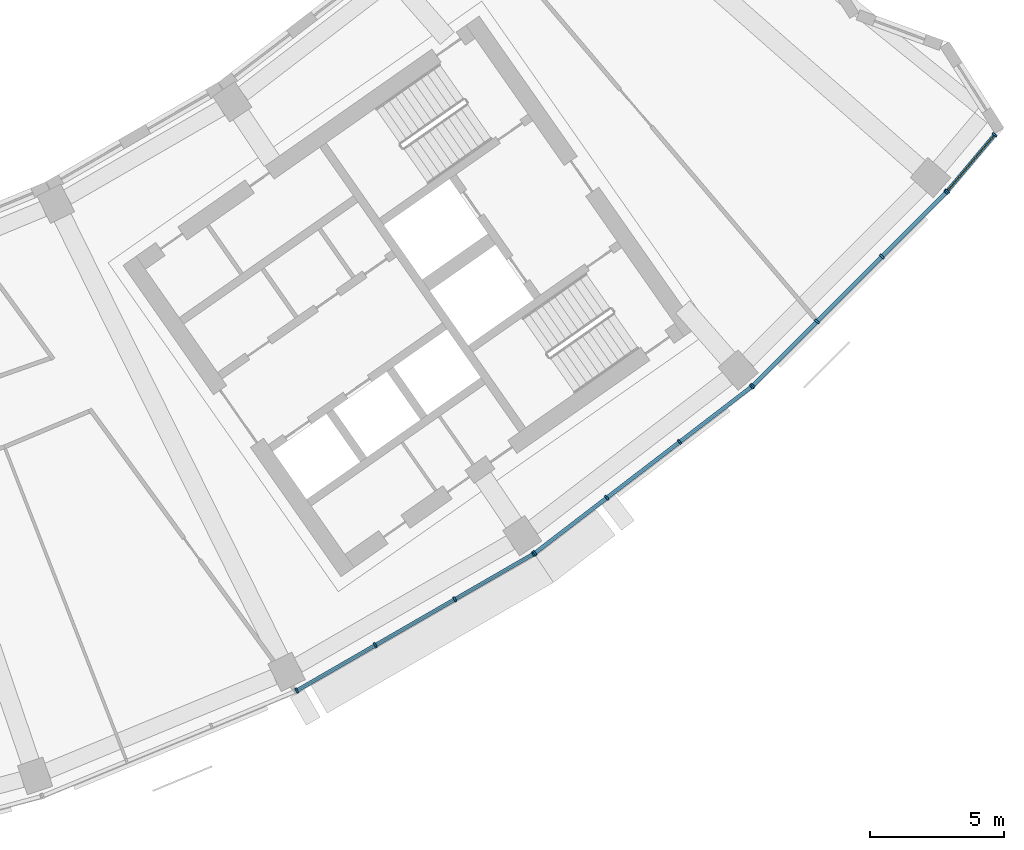
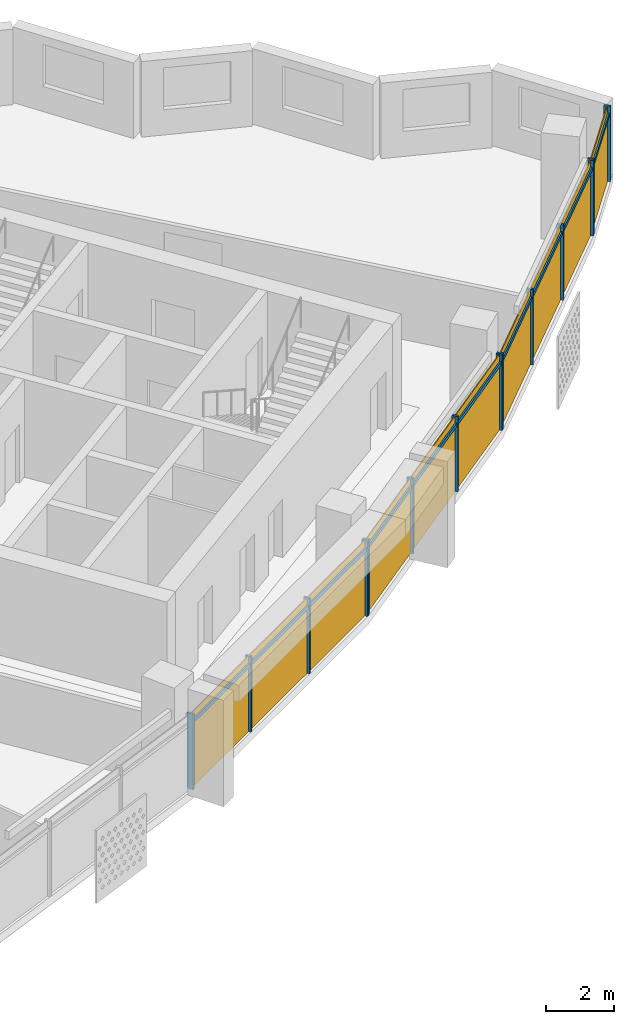
# One storey, part 21 of 27: 24 members, 4 curtain walls.
"""IFC4 building model written with IfcOpenShell, lengths in metres."""

from ifc_helpers import new_model, si_unit, direction, frame, origin, origin_2d, place, context, subcontext, project, spatial, rectangle, extrude, material, material_profile, profile_set, type_object, element, aggregate, save


model = new_model("IFC4")

# Units and contexts
model_context = context("Model", 3, precision=1e-05, world=origin(), true_north=direction((0.0, 1.0)))
body_context = subcontext(model_context, "Body", "Model", "MODEL_VIEW")
ifc_project = project(units=[si_unit("LENGTHUNIT", "METRE"), si_unit("AREAUNIT", "SQUARE_METRE"), si_unit("VOLUMEUNIT", "CUBIC_METRE"), si_unit("PLANEANGLEUNIT", "RADIAN"), si_unit("MASSUNIT", "GRAM", prefix="KILO")], contexts=[model_context])

# Member
ifc_material = material(Name="Aluminium 6063-T6 anodised", Category="aluminium")
ifc_material_profile_1 = material_profile(ifc_material, rectangle(XDim=0.199951171875, YDim=0.070068359375, at=origin_2d()))
ifc_profile_set_1 = profile_set([ifc_material_profile_1], Name="Aluminium 6063-T6 anodised")
member_type_1 = type_object("IfcMemberType", Name="Mullion 70 x 200 aluminium", PredefinedType="MULLION", material=ifc_profile_set_1)
site_placement = place(None, origin())
building_placement = place(site_placement, origin())
storey_placement = place(building_placement, frame((0.0, 0.0, 237.89990234375)))
member_1_placement = place(storey_placement, frame((34.766357421875, -70.43505859375, 0.0), z_axis=(0.0, 0.0, 1.0), x_axis=(-0.5, 0.866025403784, 0.0)))
member_1 = element("IfcMember", 1, at=member_1_placement, type_object=member_type_1, Name="e-cw1-L57-out12/M00", PredefinedType="MULLION", context=body_context, shape_type="SweptSolid", body=[
    extrude(rectangle(XDim=0.199951171875, YDim=0.070068359375, at=origin_2d()), origin(), (0.0, 0.0, 1.0), 2.7001953125),
])

member_2_placement = place(storey_placement, frame((37.705810546875, -68.73779296875, 0.0), z_axis=(0.0, 0.0, 1.0), x_axis=(-0.5, 0.866025403784, 0.0)))
member_2 = element("IfcMember", 2, at=member_2_placement, type_object=member_type_1, Name="e-cw1-L57-out12/M01", PredefinedType="MULLION", context=body_context, shape_type="SweptSolid", body=[
    extrude(rectangle(XDim=0.199951171875, YDim=0.070068359375, at=origin_2d()), origin(), (0.0, 0.0, 1.0), 2.7001953125),
])

member_3_placement = place(storey_placement, frame((40.67578125, -67.023193359375, 0.0), z_axis=(0.0, 0.0, 1.0), x_axis=(-0.5, 0.866025403784, 0.0)))
member_3 = element("IfcMember", 3, at=member_3_placement, type_object=member_type_1, Name="e-cw1-L57-out12/M02", PredefinedType="MULLION", context=body_context, shape_type="SweptSolid", body=[
    extrude(rectangle(XDim=0.199951171875, YDim=0.070068359375, at=origin_2d()), origin(), (0.0, 0.0, 1.0), 2.7001953125),
])

member_4_placement = place(storey_placement, frame((43.615234375, -65.325927734375, 0.0), z_axis=(0.0, 0.0, 1.0), x_axis=(-0.5, 0.866025403784, 0.0)))
member_4 = element("IfcMember", 4, at=member_4_placement, type_object=member_type_1, Name="e-cw1-L57-out12/M03", PredefinedType="MULLION", context=body_context, shape_type="SweptSolid", body=[
    extrude(rectangle(XDim=0.199951171875, YDim=0.070068359375, at=origin_2d()), origin(), (0.0, 0.0, 1.0), 2.7001953125),
])

member_5_placement = place(storey_placement, frame((43.66259765625, -65.29443359375, 0.0), z_axis=(0.0, 0.0, 1.0), x_axis=(-0.608761429009, 0.793353340291, 0.0)))
member_5 = element("IfcMember", 5, at=member_5_placement, type_object=member_type_1, Name="e-cw1-L57-out13/M00", PredefinedType="MULLION", context=body_context, shape_type="SweptSolid", body=[
    extrude(rectangle(XDim=0.199951171875, YDim=0.070068359375, at=origin_2d()), origin(), (0.0, 0.0, 1.0), 2.7001953125),
])

member_6_placement = place(storey_placement, frame((46.35546875, -63.22802734375, 0.0), z_axis=(0.0, 0.0, 1.0), x_axis=(-0.608761429009, 0.793353340291, 0.0)))
member_6 = element("IfcMember", 6, at=member_6_placement, type_object=member_type_1, Name="e-cw1-L57-out13/M01", PredefinedType="MULLION", context=body_context, shape_type="SweptSolid", body=[
    extrude(rectangle(XDim=0.199951171875, YDim=0.070068359375, at=origin_2d()), origin(), (0.0, 0.0, 1.0), 2.7001953125),
])

member_7_placement = place(storey_placement, frame((49.075927734375, -61.140380859375, 0.0), z_axis=(0.0, 0.0, 1.0), x_axis=(-0.608761429009, 0.793353340291, 0.0)))
member_7 = element("IfcMember", 7, at=member_7_placement, type_object=member_type_1, Name="e-cw1-L57-out13/M02", PredefinedType="MULLION", context=body_context, shape_type="SweptSolid", body=[
    extrude(rectangle(XDim=0.199951171875, YDim=0.070068359375, at=origin_2d()), origin(), (0.0, 0.0, 1.0), 2.7001953125),
])

member_8_placement = place(storey_placement, frame((51.768798828125, -59.07421875, 0.0), z_axis=(0.0, 0.0, 1.0), x_axis=(-0.608761429009, 0.793353340291, 0.0)))
member_8 = element("IfcMember", 8, at=member_8_placement, type_object=member_type_1, Name="e-cw1-L57-out13/M03", PredefinedType="MULLION", context=body_context, shape_type="SweptSolid", body=[
    extrude(rectangle(XDim=0.199951171875, YDim=0.070068359375, at=origin_2d()), origin(), (0.0, 0.0, 1.0), 2.7001953125),
])

member_9_placement = place(storey_placement, frame((51.8115234375, -59.03662109375, 0.0), z_axis=(0.0, 0.0, 1.0), x_axis=(-0.707106781187, 0.707106781187, 0.0)))
member_9 = element("IfcMember", 9, at=member_9_placement, type_object=member_type_1, Name="e-cw1-L57-out14/M00", PredefinedType="MULLION", context=body_context, shape_type="SweptSolid", body=[
    extrude(rectangle(XDim=0.199951171875, YDim=0.070068359375, at=origin_2d()), origin(), (0.0, 0.0, 1.0), 2.7001953125),
])

member_10_placement = place(storey_placement, frame((54.211669921875, -56.63671875, 0.0), z_axis=(0.0, 0.0, 1.0), x_axis=(-0.707106781187, 0.707106781187, 0.0)))
member_10 = element("IfcMember", 10, at=member_10_placement, type_object=member_type_1, Name="e-cw1-L57-out14/M01", PredefinedType="MULLION", context=body_context, shape_type="SweptSolid", body=[
    extrude(rectangle(XDim=0.199951171875, YDim=0.070068359375, at=origin_2d()), origin(), (0.0, 0.0, 1.0), 2.7001953125),
])

member_11_placement = place(storey_placement, frame((56.63671875, -54.211669921875, 0.0), z_axis=(0.0, 0.0, 1.0), x_axis=(-0.707106781187, 0.707106781187, 0.0)))
member_11 = element("IfcMember", 11, at=member_11_placement, type_object=member_type_1, Name="e-cw1-L57-out14/M02", PredefinedType="MULLION", context=body_context, shape_type="SweptSolid", body=[
    extrude(rectangle(XDim=0.199951171875, YDim=0.070068359375, at=origin_2d()), origin(), (0.0, 0.0, 1.0), 2.7001953125),
])

member_12_placement = place(storey_placement, frame((59.03662109375, -51.8115234375, 0.0), z_axis=(0.0, 0.0, 1.0), x_axis=(-0.707106781187, 0.707106781187, 0.0)))
member_12 = element("IfcMember", 12, at=member_12_placement, type_object=member_type_1, Name="e-cw1-L57-out14/M03", PredefinedType="MULLION", context=body_context, shape_type="SweptSolid", body=[
    extrude(rectangle(XDim=0.199951171875, YDim=0.070068359375, at=origin_2d()), origin(), (0.0, 0.0, 1.0), 2.7001953125),
])

member_13_placement = place(storey_placement, frame((59.078125, -51.766357421875, 0.0), z_axis=(0.0, 0.0, 1.0), x_axis=(-0.765132091272, 0.643873343839, 0.0)))
member_13 = element("IfcMember", 13, at=member_13_placement, type_object=member_type_1, Name="e-cw1-L57-out15/M00", PredefinedType="MULLION", context=body_context, shape_type="SweptSolid", body=[
    extrude(rectangle(XDim=0.199951171875, YDim=0.070068359375, at=origin_2d()), origin(), (0.0, 0.0, 1.0), 2.7001953125),
])

member_14_placement = place(storey_placement, frame((60.85107421875, -49.65966796875, 0.0), z_axis=(0.0, 0.0, 1.0), x_axis=(-0.765132091272, 0.643873343839, 0.0)))
member_14 = element("IfcMember", 14, at=member_14_placement, type_object=member_type_1, Name="e-cw1-L57-out15/M01", PredefinedType="MULLION", context=body_context, shape_type="SweptSolid", body=[
    extrude(rectangle(XDim=0.199951171875, YDim=0.070068359375, at=origin_2d()), origin(), (0.0, 0.0, 1.0), 2.7001953125),
])

ifc_material_profile_2 = material_profile(ifc_material, rectangle(XDim=0.139892578125, YDim=0.1201171875, at=origin_2d()))
ifc_profile_set_2 = profile_set([ifc_material_profile_2], Name="Aluminium 6063-T6 anodised")
member_type_2 = type_object("IfcMemberType", Name="Transom 120 x 140 aluminium", PredefinedType="USERDEFINED", material=ifc_profile_set_2)
member_15_placement = place(storey_placement, frame((34.796630859375, -70.41748046875, 2.400146484375), z_axis=(0.866029041019, 0.499993700073, 0.0), x_axis=(-0.499993700073, 0.866029041019, 0.0)))
member_15 = element("IfcMember", 15, at=member_15_placement, type_object=member_type_2, Name="e-cw1-L57-out12/T00", ObjectType="TRANSOM", PredefinedType="USERDEFINED", context=body_context, shape_type="SweptSolid", body=[
    extrude(rectangle(XDim=0.139892578125, YDim=0.1201171875, at=origin_2d()), origin(), (0.0, 0.0, 1.0), 3.32421875),
])

member_16_placement = place(storey_placement, frame((37.736083984375, -68.72021484375, 2.400146484375), z_axis=(0.866034314054, 0.499984566643, 0.0), x_axis=(-0.499984566643, 0.866034314054, 0.0)))
member_16 = element("IfcMember", 16, at=member_16_placement, type_object=member_type_2, Name="e-cw1-L57-out12/T01", ObjectType="TRANSOM", PredefinedType="USERDEFINED", context=body_context, shape_type="SweptSolid", body=[
    extrude(rectangle(XDim=0.139892578125, YDim=0.1201171875, at=origin_2d()), origin(), (0.0, 0.0, 1.0), 3.359375),
])

member_17_placement = place(storey_placement, frame((40.7060546875, -67.005615234375, 2.400146484375), z_axis=(0.866029041019, 0.499993700073, 0.0), x_axis=(-0.499993700073, 0.866029041019, 0.0)))
member_17 = element("IfcMember", 17, at=member_17_placement, type_object=member_type_2, Name="e-cw1-L57-out12/T02", ObjectType="TRANSOM", PredefinedType="USERDEFINED", context=body_context, shape_type="SweptSolid", body=[
    extrude(rectangle(XDim=0.139892578125, YDim=0.1201171875, at=origin_2d()), origin(), (0.0, 0.0, 1.0), 3.32421875),
])

member_18_placement = place(storey_placement, frame((43.690185546875, -65.273193359375, 2.400146484375), z_axis=(0.793368713958, 0.608741393132, 0.0), x_axis=(-0.608741393132, 0.793368713958, 0.0)))
member_18 = element("IfcMember", 18, at=member_18_placement, type_object=member_type_2, Name="e-cw1-L57-out13/T00", ObjectType="TRANSOM", PredefinedType="USERDEFINED", context=body_context, shape_type="SweptSolid", body=[
    extrude(rectangle(XDim=0.139892578125, YDim=0.1201171875, at=origin_2d()), origin(), (0.0, 0.0, 1.0), 3.324462890625),
])

member_19_placement = place(storey_placement, frame((46.383056640625, -63.206787109375, 2.400146484375), z_axis=(0.793385234627, 0.608719861247, 0.0), x_axis=(-0.608719861247, 0.793385234627, 0.0)))
member_19 = element("IfcMember", 19, at=member_19_placement, type_object=member_type_2, Name="e-cw1-L57-out13/T01", ObjectType="TRANSOM", PredefinedType="USERDEFINED", context=body_context, shape_type="SweptSolid", body=[
    extrude(rectangle(XDim=0.139892578125, YDim=0.1201171875, at=origin_2d()), origin(), (0.0, 0.0, 1.0), 3.359375),
])

member_20_placement = place(storey_placement, frame((49.103759765625, -61.119140625, 2.400146484375), z_axis=(0.793368713958, 0.608741393132, 0.0), x_axis=(-0.608741393132, 0.793368713958, 0.0)))
member_20 = element("IfcMember", 20, at=member_20_placement, type_object=member_type_2, Name="e-cw1-L57-out13/T02", ObjectType="TRANSOM", PredefinedType="USERDEFINED", context=body_context, shape_type="SweptSolid", body=[
    extrude(rectangle(XDim=0.139892578125, YDim=0.1201171875, at=origin_2d()), origin(), (0.0, 0.0, 1.0), 3.324462890625),
])

member_21_placement = place(storey_placement, frame((51.83642578125, -59.011962890625, 2.400146484375), z_axis=(0.707106781187, 0.707106781187, 0.0), x_axis=(-0.707106781187, 0.707106781187, 0.0)))
member_21 = element("IfcMember", 21, at=member_21_placement, type_object=member_type_2, Name="e-cw1-L57-out14/T00", ObjectType="TRANSOM", PredefinedType="USERDEFINED", context=body_context, shape_type="SweptSolid", body=[
    extrude(rectangle(XDim=0.139892578125, YDim=0.1201171875, at=origin_2d()), origin(), (0.0, 0.0, 1.0), 3.32421875),
])

member_22_placement = place(storey_placement, frame((54.236572265625, -56.61181640625, 2.400146484375), z_axis=(0.707106781187, 0.707106781187, 0.0), x_axis=(-0.707106781187, 0.707106781187, 0.0)))
member_22 = element("IfcMember", 22, at=member_22_placement, type_object=member_type_2, Name="e-cw1-L57-out14/T01", ObjectType="TRANSOM", PredefinedType="USERDEFINED", context=body_context, shape_type="SweptSolid", body=[
    extrude(rectangle(XDim=0.139892578125, YDim=0.1201171875, at=origin_2d()), origin(), (0.0, 0.0, 1.0), 3.359130859375),
])

member_23_placement = place(storey_placement, frame((56.661376953125, -54.18701171875, 2.400146484375), z_axis=(0.707106781187, 0.707106781187, 0.0), x_axis=(-0.707106781187, 0.707106781187, 0.0)))
member_23 = element("IfcMember", 23, at=member_23_placement, type_object=member_type_2, Name="e-cw1-L57-out14/T02", ObjectType="TRANSOM", PredefinedType="USERDEFINED", context=body_context, shape_type="SweptSolid", body=[
    extrude(rectangle(XDim=0.139892578125, YDim=0.1201171875, at=origin_2d()), origin(), (0.0, 0.0, 1.0), 3.32421875),
])

member_24_placement = place(storey_placement, frame((59.100830078125, -51.739501953125, 2.400146484375), z_axis=(0.643908768261, 0.76510227954, 0.0), x_axis=(-0.76510227954, 0.643908768261, 0.0)))
member_24 = element("IfcMember", 24, at=member_24_placement, type_object=member_type_2, Name="e-cw1-L57-out15/T00", ObjectType="TRANSOM", PredefinedType="USERDEFINED", context=body_context, shape_type="SweptSolid", body=[
    extrude(rectangle(XDim=0.139892578125, YDim=0.1201171875, at=origin_2d()), origin(), (0.0, 0.0, 1.0), 2.683349609375),
])

# Site, building, storey
site = spatial("IfcSite", under=ifc_project, at=site_placement, CompositionType="ELEMENT")
building = spatial("IfcBuilding", under=site, at=building_placement, Name="Qamariyya Broadcast Tower", CompositionType="ELEMENT")
storey = spatial("IfcBuildingStorey", under=building, at=storey_placement, Name="L57", CompositionType="ELEMENT", Elevation=237.89990234375)

# Curtain wall
curtain_wall_type = type_object("IfcCurtainWallType", Name="Unitised curtain wall, anodised aluminium", PredefinedType="NOTDEFINED", material=ifc_material)
curtain_wall_1_placement = place(storey_placement, origin())
curtain_wall_1 = element("IfcCurtainWall", 25, at=curtain_wall_1_placement, inside=storey, type_object=curtain_wall_type, Name="e-cw1-L57-out12", PredefinedType="NOTDEFINED", context=body_context, shape_type="SweptSolid", body=[
    extrude(rectangle(XDim=3.32421875, YDim=0.031982421875, at=origin_2d()), frame((36.236083984375, -69.58642578125, 0.0), x_axis=(0.866027904674, 0.499995668308, 0.0)), (0.0, 0.0, 1.0), 2.340087890625),
    extrude(rectangle(XDim=3.32421875, YDim=0.031982421875, at=origin_2d()), frame((36.236083984375, -69.58642578125, 2.460205078125), x_axis=(0.866027904674, 0.499995668308, 0.0)), (0.0, 0.0, 1.0), 0.239990234375),
    extrude(rectangle(XDim=3.359130859375, YDim=0.031982421875, at=origin_2d()), frame((39.19091796875, -67.88037109375, 0.0), x_axis=(0.866027904674, 0.499995668308, 0.0)), (0.0, 0.0, 1.0), 2.340087890625),
    extrude(rectangle(XDim=3.359130859375, YDim=0.031982421875, at=origin_2d()), frame((39.19091796875, -67.88037109375, 2.460205078125), x_axis=(0.866027904674, 0.499995668308, 0.0)), (0.0, 0.0, 1.0), 0.239990234375),
    extrude(rectangle(XDim=3.32421875, YDim=0.031982421875, at=origin_2d()), frame((42.1455078125, -66.174560546875, 0.0), x_axis=(0.866027904674, 0.499995668308, 0.0)), (0.0, 0.0, 1.0), 2.340087890625),
    extrude(rectangle(XDim=3.32421875, YDim=0.031982421875, at=origin_2d()), frame((42.1455078125, -66.174560546875, 2.460205078125), x_axis=(0.866027904674, 0.499995668308, 0.0)), (0.0, 0.0, 1.0), 0.239990234375),
])

aggregate(curtain_wall_1, [member_1, member_2, member_3, member_4, member_15, member_16, member_17])

curtain_wall_2_placement = place(storey_placement, origin())
curtain_wall_2 = element("IfcCurtainWall", 26, at=curtain_wall_2_placement, inside=storey, type_object=curtain_wall_type, Name="e-cw1-L57-out13", PredefinedType="NOTDEFINED", context=body_context, shape_type="SweptSolid", body=[
    extrude(rectangle(XDim=3.32421875, YDim=0.031982421875, at=origin_2d()), frame((45.009033203125, -64.26123046875, 0.0), x_axis=(0.793359168734, 0.608753833159, 0.0)), (0.0, 0.0, 1.0), 2.340087890625),
    extrude(rectangle(XDim=3.32421875, YDim=0.031982421875, at=origin_2d()), frame((45.009033203125, -64.26123046875, 2.460205078125), x_axis=(0.793359168734, 0.608753833159, 0.0)), (0.0, 0.0, 1.0), 0.239990234375),
    extrude(rectangle(XDim=3.359130859375, YDim=0.031982421875, at=origin_2d()), frame((47.7158203125, -62.184326171875, 0.0), x_axis=(0.793359168734, 0.608753833159, 0.0)), (0.0, 0.0, 1.0), 2.340087890625),
    extrude(rectangle(XDim=3.359130859375, YDim=0.031982421875, at=origin_2d()), frame((47.7158203125, -62.184326171875, 2.460205078125), x_axis=(0.793359168734, 0.608753833159, 0.0)), (0.0, 0.0, 1.0), 0.239990234375),
    extrude(rectangle(XDim=3.32421875, YDim=0.031982421875, at=origin_2d()), frame((50.42236328125, -60.107421875, 0.0), x_axis=(0.793359168734, 0.608753833159, 0.0)), (0.0, 0.0, 1.0), 2.340087890625),
    extrude(rectangle(XDim=3.32421875, YDim=0.031982421875, at=origin_2d()), frame((50.42236328125, -60.107421875, 2.460205078125), x_axis=(0.793359168734, 0.608753833159, 0.0)), (0.0, 0.0, 1.0), 0.239990234375),
])

aggregate(curtain_wall_2, [member_5, member_6, member_7, member_8, member_18, member_19, member_20])

curtain_wall_3_placement = place(storey_placement, origin())
curtain_wall_3 = element("IfcCurtainWall", 27, at=curtain_wall_3_placement, inside=storey, type_object=curtain_wall_type, Name="e-cw1-L57-out14", PredefinedType="NOTDEFINED", context=body_context, shape_type="SweptSolid", body=[
    extrude(rectangle(XDim=3.32421875, YDim=0.031982421875, at=origin_2d()), frame((53.01171875, -57.836669921875, 0.0), x_axis=(0.707106781187, 0.707106781187, 0.0)), (0.0, 0.0, 1.0), 2.340087890625),
    extrude(rectangle(XDim=3.32421875, YDim=0.031982421875, at=origin_2d()), frame((53.01171875, -57.836669921875, 2.460205078125), x_axis=(0.707106781187, 0.707106781187, 0.0)), (0.0, 0.0, 1.0), 0.239990234375),
    extrude(rectangle(XDim=3.359375, YDim=0.031982421875, at=origin_2d()), frame((55.42431640625, -55.42431640625, 0.0), x_axis=(0.707106781187, 0.707106781187, 0.0)), (0.0, 0.0, 1.0), 2.340087890625),
    extrude(rectangle(XDim=3.359375, YDim=0.031982421875, at=origin_2d()), frame((55.42431640625, -55.42431640625, 2.460205078125), x_axis=(0.707106781187, 0.707106781187, 0.0)), (0.0, 0.0, 1.0), 0.239990234375),
    extrude(rectangle(XDim=3.32421875, YDim=0.031982421875, at=origin_2d()), frame((57.836669921875, -53.01171875, 0.0), x_axis=(0.707106781187, 0.707106781187, 0.0)), (0.0, 0.0, 1.0), 2.340087890625),
    extrude(rectangle(XDim=3.32421875, YDim=0.031982421875, at=origin_2d()), frame((57.836669921875, -53.01171875, 2.460205078125), x_axis=(0.707106781187, 0.707106781187, 0.0)), (0.0, 0.0, 1.0), 0.239990234375),
])

aggregate(curtain_wall_3, [member_9, member_10, member_11, member_12, member_21, member_22, member_23])

curtain_wall_4_placement = place(storey_placement, origin())
curtain_wall_4 = element("IfcCurtainWall", 28, at=curtain_wall_4_placement, inside=storey, type_object=curtain_wall_type, Name="e-cw1-L57-out15", PredefinedType="NOTDEFINED", context=body_context, shape_type="SweptSolid", body=[
    extrude(rectangle(XDim=2.683349609375, YDim=0.031982421875, at=origin_2d()), frame((59.964599609375, -50.712890625, 0.0), x_axis=(0.643842799529, 0.765157793853, 0.0)), (0.0, 0.0, 1.0), 2.340087890625),
    extrude(rectangle(XDim=2.683349609375, YDim=0.031982421875, at=origin_2d()), frame((59.964599609375, -50.712890625, 2.460205078125), x_axis=(0.643842799529, 0.765157793853, 0.0)), (0.0, 0.0, 1.0), 0.239990234375),
])

aggregate(curtain_wall_4, [member_13, member_14, member_24])

save(model, "model.ifc")
